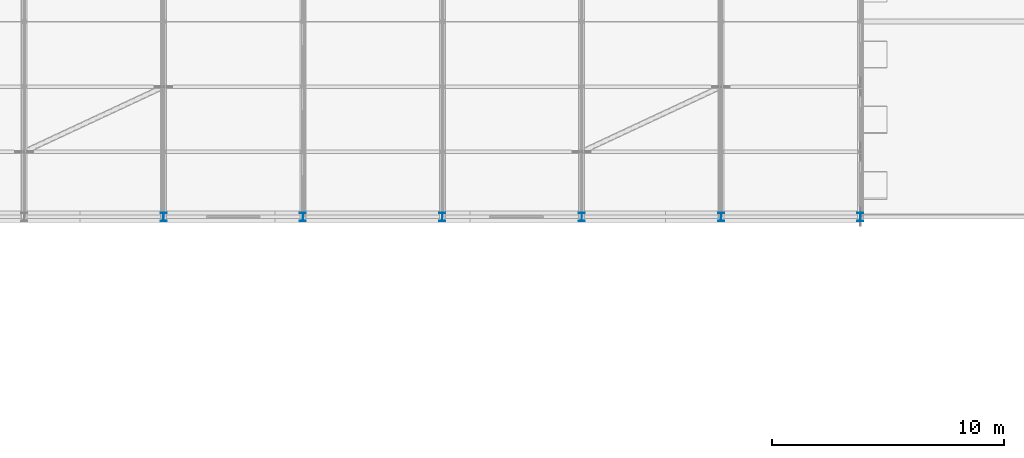
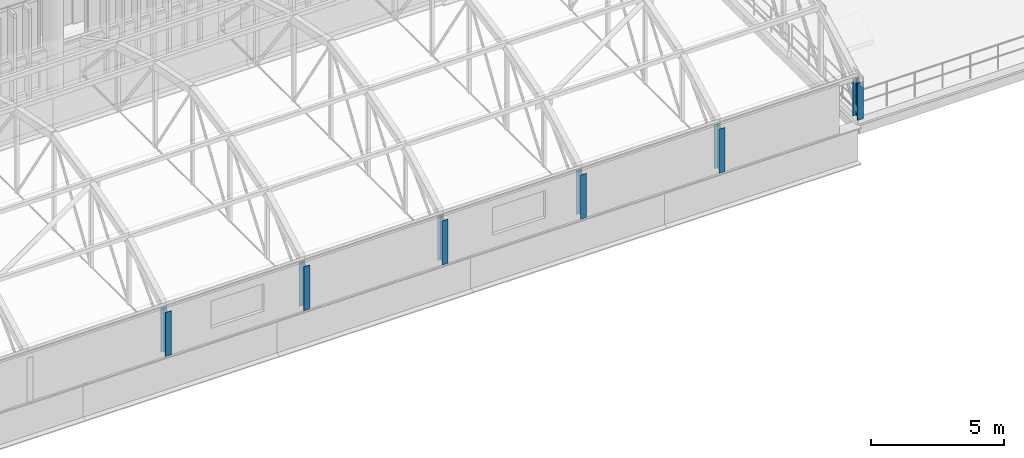
# One storey, part 5 of 109: 6 columns.
"""IFC4 building model written with IfcOpenShell, lengths in metres."""

from ifc_helpers import new_model, si_unit, direction, frame, origin_with_axes, origin_2d_with_axis, place, context, subcontext, project, spatial, i_section, extrude, material, material_profile, profile_set, type_object, element, save


model = new_model("IFC4")

# Units and contexts
model_context = context("Model", 3, precision=1e-05, world=origin_with_axes(), true_north=direction((0.0, 1.0)))
body_context = subcontext(model_context, "Body", "Model", "MODEL_VIEW")
ifc_project = project(units=[si_unit("LENGTHUNIT", "METRE"), si_unit("AREAUNIT", "SQUARE_METRE"), si_unit("VOLUMEUNIT", "CUBIC_METRE"), si_unit("PLANEANGLEUNIT", "RADIAN"), si_unit("MASSUNIT", "GRAM", prefix="KILO"), si_unit("THERMODYNAMICTEMPERATUREUNIT", "KELVIN")], contexts=[model_context])

# Site, building, storey
site_placement = place(None, origin_with_axes())
site = spatial("IfcSite", under=ifc_project, at=site_placement, CompositionType="ELEMENT")
building_placement = place(site_placement, origin_with_axes())
building = spatial("IfcBuilding", under=site, at=building_placement, Name="Montbau Bow Law Courts", CompositionType="ELEMENT")
storey_placement = place(building_placement, frame((0.0, 0.0, 10.8), z_axis=(0.0, 0.0, 1.0), x_axis=(1.0, 0.0, 0.0)))
storey = spatial("IfcBuildingStorey", under=building, at=storey_placement, Name="L02", CompositionType="ELEMENT", Elevation=10.8)

# Columns
ifc_material = material(Name="Steel CSA G40.21 Grade 350W (350 MPa)", Category="steel")
ifc_material_profile = material_profile(ifc_material, i_section(OverallWidth=0.257, OverallDepth=0.363, WebThickness=0.013, FlangeThickness=0.0217, at=origin_2d_with_axis()), Name="W360X122", Category="Main", Priority=0)
ifc_profile_set = profile_set([ifc_material_profile], Name="Steel CSA G40.21 Grade 350W (350 MPa)")
column_type = type_object("IfcColumnType", Name="C-STL-05", PredefinedType="COLUMN", material=ifc_profile_set)
for number, where, z_axis, x_axis, name in (
    (1, (75.6, 22.2, 10.48), (0.0, 0.0, 1.0), (1.0, 0.0, 0.0), "C-VLT-V4-03S:col2_1181"),
    (2, (81.6, 22.2, 10.48), (0.0, 0.0, 1.0), (1.0, 0.0, 0.0), "C-VLT-V4-04S:col2_1183"),
    (3, (87.6, 22.2, 10.48), (0.0, 0.0, 1.0), (1.0, 0.0, 0.0), "C-VLT-V4-05S:col2_1185"),
    (4, (93.6, 22.2, 10.48), (0.0, 0.0, 1.0), (1.0, 0.0, 0.0), "C-VLT-V4-06S:col2_1187"),
    (5, (99.6, 22.2, 10.48), (0.0, 0.0, 1.0), (1.0, 0.0, 0.0), "C-VLT-V4-07S:col2_1189"),
):
    element("IfcColumn", number, at=place(None, frame(where, z_axis=z_axis, x_axis=x_axis)), inside=storey, type_object=column_type, Name=name, PredefinedType="COLUMN", context=body_context, shape_type="SweptSolid", body=[
        extrude(i_section(OverallWidth=0.257, OverallDepth=0.363, WebThickness=0.013, FlangeThickness=0.0217, at=origin_2d_with_axis()), origin_with_axes(), (0.0, 0.0, 1.0), 2.02),
    ])
column_placement = place(None, frame((105.6, 22.2, 10.8), z_axis=(0.0, 0.0, 1.0), x_axis=(1.0, 0.0, 0.0)))
element("IfcColumn", 6, at=column_placement, inside=storey, type_object=column_type, Name="C-VLT-V4-08S:col2_1191", PredefinedType="COLUMN", context=body_context, shape_type="SweptSolid", body=[
    extrude(i_section(OverallWidth=0.257, OverallDepth=0.363, WebThickness=0.013, FlangeThickness=0.0217, at=origin_2d_with_axis()), origin_with_axes(), (0.0, 0.0, 1.0), 1.7),
])

save(model, "model.ifc")
